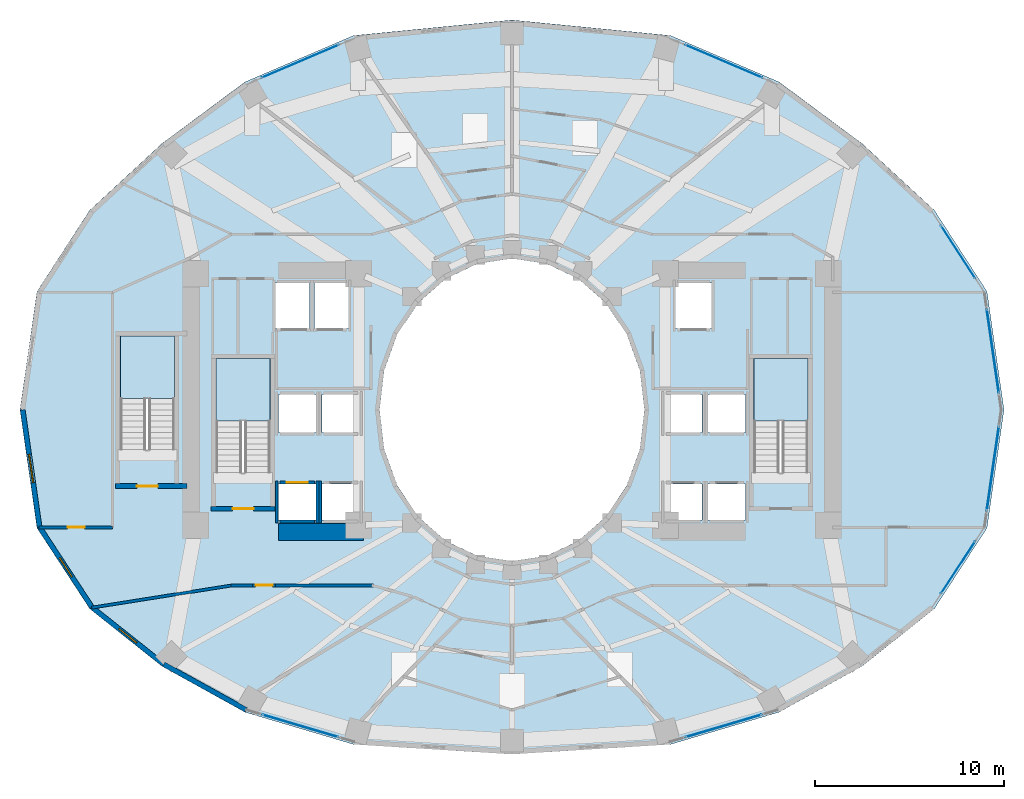
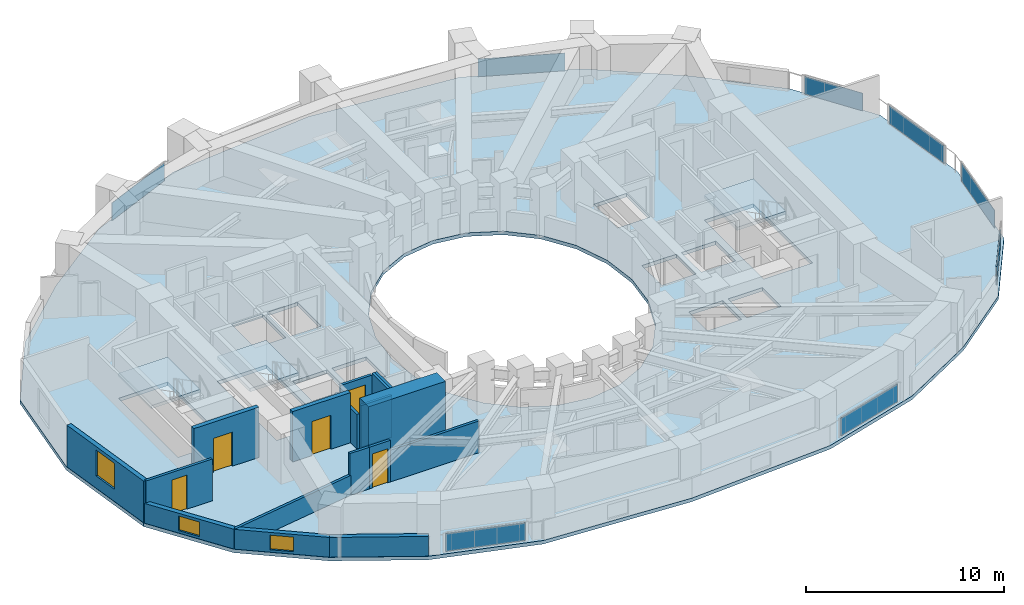
# One storey, part 13 of 22: 17 walls, 8 plates, 5 doors, 4 slabs, 3 windows, 8 openings, 11 elements without a shape of their own.
"""IFC4 building model written with IfcOpenShell, lengths in metres."""

from ifc_helpers import new_model, si_unit, direction, frame, frame_2d, origin, origin_2d, place, context, subcontext, project, spatial, polyline, rectangle, outline, extrude, material, layer, layer_set, type_object, element, fill, aggregate, save


model = new_model("IFC4")

# Units and contexts
model_context = context("Model", 3, precision=1e-05, world=origin(), true_north=direction((0.0, 1.0)))
body_context = subcontext(model_context, "Body", "Model", "MODEL_VIEW")
ifc_project = project(units=[si_unit("LENGTHUNIT", "METRE"), si_unit("AREAUNIT", "SQUARE_METRE"), si_unit("VOLUMEUNIT", "CUBIC_METRE"), si_unit("PLANEANGLEUNIT", "RADIAN"), si_unit("MASSUNIT", "GRAM", prefix="KILO")], contexts=[model_context])

# Site, building, storey
site_placement = place(None, origin())
site = spatial("IfcSite", under=ifc_project, at=site_placement, CompositionType="ELEMENT")
building_placement = place(site_placement, origin())
building = spatial("IfcBuilding", under=site, at=building_placement, Name="Solvane Sanctuary Tower", CompositionType="ELEMENT")
storey_placement = place(building_placement, frame((0.0, 0.0, 43.10009765625)))
storey = spatial("IfcBuildingStorey", under=building, at=storey_placement, Name="L12", CompositionType="ELEMENT", Elevation=43.10009765625)

# Curtain wall, plate
ifc_material_1 = material(Name="Anodised Aluminium 6063-T6", Category="aluminium")
ifc_layer_1 = layer(ifc_material_1, 0.2099609375, Name="Anodised Aluminium 6063-T6")
ifc_layer_set_1 = layer_set([ifc_layer_1], Name="Anodised Aluminium 6063-T6")
curtain_wall_type_1 = type_object("IfcCurtainWallType", Name="Curtain Wall CW-PORTAL", PredefinedType="NOTDEFINED", material=ifc_layer_set_1)
curtain_wall_1_placement = place(storey_placement, origin())
curtain_wall_1 = element("IfcCurtainWall", 1, at=curtain_wall_1_placement, inside=storey, type_object=curtain_wall_type_1, Name="L12 CW-PORTAL Facade Run 00", PredefinedType="NOTDEFINED")
ifc_material_2 = material(Name="Dark Ceramic-Fritted Low-E Glass", Category="glass")
ifc_layer_2 = layer(ifc_material_2, 0.031982421875, Name="Dark Ceramic-Fritted Low-E Glass")
ifc_layer_set_2 = layer_set([ifc_layer_2], Name="Dark Ceramic-Fritted Low-E Glass")
plate_type = type_object("IfcPlateType", Name="Plate PN-FRIT-VIS", PredefinedType="CURTAIN_PANEL", material=ifc_layer_set_2)
plate_1_placement = place(storey_placement, frame((57.413330078125, 26.1025390625, 0.06494140625), z_axis=(0.0, 0.0, 1.0), x_axis=(-0.142503929979, 0.989794236162, 0.0)))
plate_1 = element("IfcPlate", 2, at=plate_1_placement, type_object=plate_type, Name="CW-PORTAL panel 1.1", PredefinedType="CURTAIN_PANEL", context=body_context, shape_type="SweptSolid", body=[
    extrude(rectangle(XDim=4.479248046875, YDim=0.031982421875, at=origin_2d()), origin(), (0.0, 0.0, 1.0), 1.090087890625),
])
aggregate(curtain_wall_1, [plate_1])

curtain_wall_2_placement = place(storey_placement, origin())
curtain_wall_2 = element("IfcCurtainWall", 3, at=curtain_wall_2_placement, inside=storey, type_object=curtain_wall_type_1, Name="L12 CW-PORTAL Facade Run 01", PredefinedType="NOTDEFINED")
plate_2_placement = place(storey_placement, frame((55.580078125, 31.34033203125, 0.06494140625), z_axis=(0.0, 0.0, 1.0), x_axis=(-0.544543243911, 0.838732767639, 0.0)))
plate_2 = element("IfcPlate", 4, at=plate_2_placement, type_object=plate_type, Name="CW-PORTAL panel 1.1", PredefinedType="CURTAIN_PANEL", context=body_context, shape_type="SweptSolid", body=[
    extrude(rectangle(XDim=3.301513671875, YDim=0.031982421875, at=origin_2d()), origin(), (0.0, 0.0, 1.0), 1.090087890625),
])
aggregate(curtain_wall_2, [plate_2])

ifc_layer_3 = layer(ifc_material_1, 0.169921875, Name="Anodised Aluminium 6063-T6")
ifc_layer_set_3 = layer_set([ifc_layer_3], Name="Anodised Aluminium 6063-T6")
curtain_wall_type_2 = type_object("IfcCurtainWallType", Name="Curtain Wall CW-FRIT-Z1", PredefinedType="NOTDEFINED", material=ifc_layer_set_3)
curtain_wall_3_placement = place(storey_placement, origin())
curtain_wall_3 = element("IfcCurtainWall", 5, at=curtain_wall_3_placement, inside=storey, type_object=curtain_wall_type_2, Name="L12 CW-FRIT-Z1 Facade Run 04", PredefinedType="NOTDEFINED")
plate_3_placement = place(storey_placement, frame((43.18701171875, 41.41650390625, 0.06494140625), z_axis=(0.0, 0.0, 1.0), x_axis=(-0.919615259597, 0.392820282466, 0.0)))
plate_3 = element("IfcPlate", 6, at=plate_3_placement, type_object=plate_type, Name="CW-FRIT-Z1 panel 1.1", PredefinedType="CURTAIN_PANEL", context=body_context, shape_type="SweptSolid", body=[
    extrude(rectangle(XDim=4.41943359375, YDim=0.031982421875, at=origin_2d()), origin(), (0.0, 0.0, 1.0), 1.090087890625),
])
aggregate(curtain_wall_3, [plate_3])

curtain_wall_4_placement = place(storey_placement, origin())
curtain_wall_4 = element("IfcCurtainWall", 7, at=curtain_wall_4_placement, inside=storey, type_object=curtain_wall_type_2, Name="L12 CW-FRIT-Z1 Facade Run 07", PredefinedType="NOTDEFINED")
plate_4_placement = place(storey_placement, frame((20.81298828125, 41.41650390625, 0.06494140625), z_axis=(0.0, 0.0, 1.0), x_axis=(-0.919615259597, -0.392820282466, 0.0)))
plate_4 = element("IfcPlate", 8, at=plate_4_placement, type_object=plate_type, Name="CW-FRIT-Z1 panel 1.1", PredefinedType="CURTAIN_PANEL", context=body_context, shape_type="SweptSolid", body=[
    extrude(rectangle(XDim=4.41943359375, YDim=0.031982421875, at=origin_2d()), origin(), (0.0, 0.0, 1.0), 1.090087890625),
])
aggregate(curtain_wall_4, [plate_4])

curtain_wall_5_placement = place(storey_placement, origin())
curtain_wall_5 = element("IfcCurtainWall", 9, at=curtain_wall_5_placement, inside=storey, type_object=curtain_wall_type_2, Name="L12 CW-FRIT-Z1 Facade Run 16", PredefinedType="NOTDEFINED")
plate_5_placement = place(storey_placement, frame((20.81298828125, 6.29248046875, 0.06494140625), z_axis=(0.0, 0.0, 1.0), x_axis=(0.958843218866, -0.283936052018, 0.0)))
plate_5 = element("IfcPlate", 10, at=plate_5_placement, type_object=plate_type, Name="CW-FRIT-Z1 panel 1.1", PredefinedType="CURTAIN_PANEL", context=body_context, shape_type="SweptSolid", body=[
    extrude(rectangle(XDim=4.16552734375, YDim=0.031982421875, at=origin_2d()), origin(), (0.0, 0.0, 1.0), 1.090087890625),
])
aggregate(curtain_wall_5, [plate_5])

curtain_wall_6_placement = place(storey_placement, origin())
curtain_wall_6 = element("IfcCurtainWall", 11, at=curtain_wall_6_placement, inside=storey, type_object=curtain_wall_type_2, Name="L12 CW-FRIT-Z1 Facade Run 19", PredefinedType="NOTDEFINED")
plate_6_placement = place(storey_placement, frame((43.18701171875, 6.29248046875, 0.06494140625), z_axis=(0.0, 0.0, 1.0), x_axis=(0.958843218866, 0.283936052018, 0.0)))
plate_6 = element("IfcPlate", 12, at=plate_6_placement, type_object=plate_type, Name="CW-FRIT-Z1 panel 1.1", PredefinedType="CURTAIN_PANEL", context=body_context, shape_type="SweptSolid", body=[
    extrude(rectangle(XDim=4.16552734375, YDim=0.031982421875, at=origin_2d()), origin(), (0.0, 0.0, 1.0), 1.090087890625),
])
aggregate(curtain_wall_6, [plate_6])

curtain_wall_7_placement = place(storey_placement, origin())
curtain_wall_7 = element("IfcCurtainWall", 13, at=curtain_wall_7_placement, inside=storey, type_object=curtain_wall_type_1, Name="L12 CW-PORTAL Facade Run 22", PredefinedType="NOTDEFINED")
plate_7_placement = place(storey_placement, frame((55.580078125, 14.6767578125, 0.06494140625), z_axis=(0.0, 0.0, 1.0), x_axis=(0.547701943571, 0.836673521159, 0.0)))
plate_7 = element("IfcPlate", 14, at=plate_7_placement, type_object=plate_type, Name="CW-PORTAL panel 1.1", PredefinedType="CURTAIN_PANEL", context=body_context, shape_type="SweptSolid", body=[
    extrude(rectangle(XDim=3.2724609375, YDim=0.031982421875, at=origin_2d()), origin(), (0.0, 0.0, 1.0), 1.090087890625),
])
aggregate(curtain_wall_7, [plate_7])

curtain_wall_8_placement = place(storey_placement, origin())
curtain_wall_8 = element("IfcCurtainWall", 15, at=curtain_wall_8_placement, inside=storey, type_object=curtain_wall_type_1, Name="L12 CW-PORTAL Facade Run 23", PredefinedType="NOTDEFINED")
plate_8_placement = place(storey_placement, frame((57.413330078125, 19.8974609375, 0.06494140625), z_axis=(0.0, 0.0, 1.0), x_axis=(0.142503929979, 0.989794236162, 0.0)))
plate_8 = element("IfcPlate", 16, at=plate_8_placement, type_object=plate_type, Name="CW-PORTAL panel 1.1", PredefinedType="CURTAIN_PANEL", context=body_context, shape_type="SweptSolid", body=[
    extrude(rectangle(XDim=4.479248046875, YDim=0.031982421875, at=origin_2d()), origin(), (0.0, 0.0, 1.0), 1.090087890625),
])
aggregate(curtain_wall_8, [plate_8])

# Stair, slab
ifc_material_3 = material(Name="Concrete C45/55", Category="concrete")
stair_type = type_object("IfcStairType", Name="Stair ST-TOW", PredefinedType="HALF_TURN_STAIR", material=ifc_material_3)
stair_1_placement = place(storey_placement, origin())
stair_1 = element("IfcStair", 17, at=stair_1_placement, inside=storey, type_object=stair_type, Name="L12 Exit Stair ST-1 West Core", PredefinedType="HALF_TURN_STAIR")
ifc_layer_4 = layer(ifc_material_3, 0.199951171875, Name="Concrete C45/55")
ifc_layer_set_4 = layer_set([ifc_layer_4], Name="Concrete C45/55")
slab_type_1 = type_object("IfcSlabType", Name="Slab SL-LAND-180", PredefinedType="LANDING", material=ifc_layer_set_4)
slab_1_placement = place(storey_placement, frame((0.0, 0.0, 1.349853515625)))
slab_1 = element("IfcSlab", 18, at=slab_1_placement, type_object=slab_type_1, Name="ST-1 landing 1", PredefinedType="LANDING", context=body_context, shape_type="SweptSolid", body=[
    extrude(outline(polyline([(19.219970703125, 22.39990234375), (19.219970703125, 25.699951171875), (16.360107421875, 25.699951171875), (16.360107421875, 22.39990234375), (19.219970703125, 22.39990234375)])), origin(), (0.0, 0.0, 1.0), 0.199951171875),
])
aggregate(stair_1, [slab_1])

stair_2_placement = place(storey_placement, origin())
stair_2 = element("IfcStair", 19, at=stair_2_placement, inside=storey, type_object=stair_type, Name="L12 Exit Stair ST-2 East Core", PredefinedType="HALF_TURN_STAIR")
slab_2_placement = place(storey_placement, frame((0.0, 0.0, 1.349853515625)))
slab_2 = element("IfcSlab", 20, at=slab_2_placement, type_object=slab_type_1, Name="ST-2 landing 1", PredefinedType="LANDING", context=body_context, shape_type="SweptSolid", body=[
    extrude(outline(polyline([(47.639892578125, 22.39990234375), (47.639892578125, 25.699951171875), (44.780029296875, 25.699951171875), (44.780029296875, 22.39990234375), (47.639892578125, 22.39990234375)])), origin(), (0.0, 0.0, 1.0), 0.199951171875),
])
aggregate(stair_2, [slab_2])

stair_3_placement = place(storey_placement, origin())
stair_3 = element("IfcStair", 21, at=stair_3_placement, inside=storey, type_object=stair_type, Name="L12 Exit Stair ST-3 Pilgrim Tower Stair", PredefinedType="HALF_TURN_STAIR")
slab_3_placement = place(storey_placement, frame((0.0, 0.0, 1.349853515625)))
slab_3 = element("IfcSlab", 22, at=slab_3_placement, type_object=slab_type_1, Name="ST-3 landing 1", PredefinedType="LANDING", context=body_context, shape_type="SweptSolid", body=[
    extrude(outline(polyline([(14.159912109375, 23.60009765625), (14.159912109375, 26.89990234375), (11.300048828125, 26.89990234375), (11.300048828125, 23.60009765625), (14.159912109375, 23.60009765625)])), origin(), (0.0, 0.0, 1.0), 0.199951171875),
])
aggregate(stair_3, [slab_3])

# Slab
ifc_layer_5 = layer(ifc_material_3, 0.219970703125, Name="Concrete C45/55")
ifc_layer_set_5 = layer_set([ifc_layer_5], Name="Concrete C45/55")
slab_type_2 = type_object("IfcSlabType", Name="Slab SL-TOW-220", PredefinedType="FLOOR", material=ifc_layer_set_5)
slab_4_placement = place(storey_placement, frame((0.0, 0.0, -0.22021484375)))
element("IfcSlab", 23, at=slab_4_placement, inside=storey, type_object=slab_type_2, Name="L12 Primary Structural Slab", PredefinedType="FLOOR", context=body_context, shape_type="SweptSolid", body=[
    extrude(outline(polyline([(58.0, 23.0), (57.101806640625, 29.25048828125), (54.31396484375, 33.5517578125), (50.504150390625, 37.066162109375), (46.1181640625, 40.322021484375), (40.376708984375, 42.77880859375), (32.0, 43.60009765625), (23.623291015625, 42.77880859375), (17.8818359375, 40.322021484375), (13.495849609375, 37.066162109375), (9.68603515625, 33.5517578125), (6.898193359375, 29.25048828125), (6.0, 23.0), (6.898193359375, 16.74951171875), (9.68603515625, 12.483154296875), (13.495849609375, 9.452392578125), (17.8818359375, 7.022705078125), (23.623291015625, 5.3193359375), (32.0, 4.800048828125), (40.376708984375, 5.3193359375), (46.1181640625, 7.022705078125), (50.504150390625, 9.452392578125), (54.31396484375, 12.483154296875), (57.101806640625, 16.74951171875), (58.0, 23.0)]), holes=[polyline([(38.761474609375, 20.929443359375), (38.062255859375, 19.0), (36.94970703125, 17.343017578125), (35.5, 16.07177734375), (33.811767578125, 15.272705078125), (32.0, 15.0), (30.188232421875, 15.272705078125), (28.5, 16.07177734375), (27.05029296875, 17.343017578125), (25.937744140625, 19.0), (25.238525390625, 20.929443359375), (25.0, 23.0), (25.238525390625, 25.070556640625), (25.937744140625, 27.0), (27.05029296875, 28.656982421875), (28.5, 29.92822265625), (30.188232421875, 30.727294921875), (32.0, 31.0), (33.811767578125, 30.727294921875), (35.5, 29.92822265625), (36.94970703125, 28.656982421875), (38.062255859375, 27.0), (38.761474609375, 25.070556640625), (39.0, 23.0), (38.761474609375, 20.929443359375)]), polyline([(16.360107421875, 19.699951171875), (16.360107421875, 25.699951171875), (19.219970703125, 25.699951171875), (19.219970703125, 19.699951171875), (16.360107421875, 19.699951171875)]), polyline([(44.780029296875, 19.699951171875), (44.780029296875, 25.699951171875), (47.639892578125, 25.699951171875), (47.639892578125, 19.699951171875), (44.780029296875, 19.699951171875)]), polyline([(11.300048828125, 20.89990234375), (11.300048828125, 26.89990234375), (14.159912109375, 26.89990234375), (14.159912109375, 20.89990234375), (11.300048828125, 20.89990234375)]), polyline([(19.64990234375, 19.080078125), (21.64990234375, 19.080078125), (21.64990234375, 17.179931640625), (19.64990234375, 17.179931640625), (19.64990234375, 19.080078125)]), polyline([(21.949951171875, 19.080078125), (23.949951171875, 19.080078125), (23.949951171875, 17.179931640625), (21.949951171875, 17.179931640625), (21.949951171875, 19.080078125)]), polyline([(40.050048828125, 19.080078125), (42.050048828125, 19.080078125), (42.050048828125, 17.179931640625), (40.050048828125, 17.179931640625), (40.050048828125, 19.080078125)]), polyline([(42.35009765625, 19.080078125), (44.35009765625, 19.080078125), (44.35009765625, 17.179931640625), (42.35009765625, 17.179931640625), (42.35009765625, 19.080078125)]), polyline([(19.64990234375, 23.800048828125), (21.64990234375, 23.800048828125), (21.64990234375, 21.800048828125), (19.64990234375, 21.800048828125), (19.64990234375, 23.800048828125)]), polyline([(42.35009765625, 23.800048828125), (44.35009765625, 23.800048828125), (44.35009765625, 21.800048828125), (42.35009765625, 21.800048828125), (42.35009765625, 23.800048828125)]), polyline([(21.949951171875, 23.800048828125), (23.949951171875, 23.800048828125), (23.949951171875, 21.800048828125), (21.949951171875, 21.800048828125), (21.949951171875, 23.800048828125)]), polyline([(40.050048828125, 23.800048828125), (42.050048828125, 23.800048828125), (42.050048828125, 21.800048828125), (40.050048828125, 21.800048828125), (40.050048828125, 23.800048828125)]), polyline([(19.5, 29.699951171875), (21.300048828125, 29.699951171875), (21.300048828125, 27.300048828125), (19.5, 27.300048828125), (19.5, 29.699951171875)]), polyline([(21.550048828125, 29.699951171875), (23.35009765625, 29.699951171875), (23.35009765625, 27.300048828125), (21.550048828125, 27.300048828125), (21.550048828125, 29.699951171875)]), polyline([(40.64990234375, 29.699951171875), (42.550048828125, 29.699951171875), (42.550048828125, 27.300048828125), (40.64990234375, 27.300048828125), (40.64990234375, 29.699951171875)])]), origin(), (0.0, 0.0, 1.0), 0.22021484375),
])

# Wall
ifc_material_4 = material(Name="Concrete C70/85", Category="concrete")
ifc_layer_6 = layer(ifc_material_4, 0.89990234375, Name="Concrete C70/85")
ifc_layer_set_6 = layer_set([ifc_layer_6], Name="Concrete C70/85")
wall_type_1 = type_object("IfcWallType", Name="Wall W-CORE-900", PredefinedType="SHEAR", material=ifc_layer_set_6)
wall_1_placement = place(storey_placement, frame((19.64990234375, 16.550048828125, 0.0), z_axis=(0.0, 0.0, 1.0), x_axis=(1.0, 0.0, 0.0)))
element("IfcWall", 24, at=wall_1_placement, inside=storey, type_object=wall_type_1, Name="L12 Core Shear Wall WC-S", PredefinedType="SHEAR", context=body_context, shape_type="SweptSolid", body=[
    extrude(rectangle(XDim=4.5, YDim=0.89990234375, at=frame_2d((2.25, 0.0))), origin(), (0.0, 0.0, 1.0), 3.099853515625),
])

# Wall, opening, door
ifc_material_5 = material(Name="Acoustic Gypsum Partition Board")
ifc_layer_7 = layer(ifc_material_5, 0.14990234375, Name="Acoustic Gypsum Partition Board")
ifc_layer_set_7 = layer_set([ifc_layer_7], Name="Acoustic Gypsum Partition Board")
wall_type_2 = type_object("IfcWallType", Name="Wall W-CORR-150", PredefinedType="PARTITIONING", material=ifc_layer_set_7)
wall_2_placement = place(storey_placement, frame((7.013671875, 16.788330078125, 0.0), z_axis=(0.0, 0.0, 1.0), x_axis=(1.0, 0.0, 0.0)))
wall_2 = element("IfcWall", 25, at=wall_2_placement, inside=storey, type_object=wall_type_2, Name="L12 West Shoulder South Wall", PredefinedType="PARTITIONING", context=body_context, shape_type="SweptSolid", body=[
    extrude(rectangle(XDim=3.8662109375, YDim=0.14990234375, at=frame_2d((1.93310546875, 0.0))), origin(), (0.0, 0.0, 1.0), 2.574951171875),
])
opening_1_placement = place(wall_2_placement, frame((1.503173828125, 0.0, 0.0)))
opening_1 = element("IfcOpeningElement", 26, at=opening_1_placement, cuts=wall_2, Name="Opening D-L12-11", PredefinedType="OPENING", context=body_context, shape_type="SweptSolid", body=[
    extrude(rectangle(XDim=0.89990234375, YDim=2.10009765625, at=frame_2d((0.449951171875, 1.050048828125))), frame((0.0, 0.0849609375, 0.0), z_axis=(0.0, -1.0, 0.0), x_axis=(1.0, 0.0, 0.0)), (0.0, 0.0, 1.0), 0.169921875),
])
ifc_material_6 = material(Name="Engineered Tropical Hardwood", Category="wood")
door_type_1 = type_object("IfcDoorType", Name="Door D-WET-900", OperationType="NOTDEFINED", PredefinedType="DOOR", material=ifc_material_6)
door_1_placement = place(opening_1_placement, origin())
door_1 = element("IfcDoor", 27, at=door_1_placement, inside=storey, type_object=door_type_1, Name="L12 West Shoulder South Door", OperationType="SINGLE_SWING_LEFT", OverallHeight=2.10009765625, OverallWidth=0.89990234375, PredefinedType="DOOR", context=body_context, shape_type="SweptSolid", body=[
    extrude(rectangle(XDim=0.89990234375, YDim=2.10009765625, at=frame_2d((0.449951171875, 1.050048828125))), frame((0.0, 0.02490234375, 0.0), z_axis=(0.0, -1.0, 0.0), x_axis=(1.0, 0.0, 0.0)), (0.0, 0.0, 1.0), 0.050048828125),
])
fill(opening_1, door_1)

# Wall
wall_3_placement = place(storey_placement, frame((17.14990234375, 13.719970703125, 0.0), z_axis=(0.0, 0.0, 1.0), x_axis=(1.0, 0.0, 0.0)))
element("IfcWall", 28, at=wall_3_placement, inside=storey, type_object=wall_type_2, Name="L12 SW Corner Corridor Wall", PredefinedType="PARTITIONING", context=body_context, shape_type="SweptSolid", body=[
    extrude(rectangle(XDim=1.14013671875, YDim=0.14990234375, at=frame_2d((0.570068359375, 0.0))), origin(), (0.0, 0.0, 1.0), 2.574951171875),
])

# Wall, opening, door
wall_4_placement = place(storey_placement, frame((18.2900390625, 13.719970703125, 0.0), z_axis=(0.0, 0.0, 1.0), x_axis=(1.0, 0.0, 0.0)))
wall_4 = element("IfcWall", 29, at=wall_4_placement, inside=storey, type_object=wall_type_2, Name="L12 SW Corner Corridor Wall", PredefinedType="PARTITIONING", context=body_context, shape_type="SweptSolid", body=[
    extrude(rectangle(XDim=1.219970703125, YDim=0.14990234375, at=frame_2d((0.60986328125, 0.0))), origin(), (0.0, 0.0, 1.0), 2.574951171875),
])
opening_2_placement = place(wall_4_placement, frame((0.159912109375, 0.0, 0.0)))
opening_2 = element("IfcOpeningElement", 30, at=opening_2_placement, cuts=wall_4, Name="Opening D-L12-15", PredefinedType="OPENING", context=body_context, shape_type="SweptSolid", body=[
    extrude(rectangle(XDim=0.89990234375, YDim=2.10009765625, at=frame_2d((0.449951171875, 1.050048828125))), frame((0.0, 0.0849609375, 0.0), z_axis=(0.0, -1.0, 0.0), x_axis=(1.0, 0.0, 0.0)), (0.0, 0.0, 1.0), 0.169921875),
])
door_2_placement = place(opening_2_placement, origin())
door_2 = element("IfcDoor", 31, at=door_2_placement, inside=storey, type_object=door_type_1, Name="L12 SW Corner Salon Door", OperationType="SINGLE_SWING_LEFT", OverallHeight=2.10009765625, OverallWidth=0.89990234375, PredefinedType="DOOR", context=body_context, shape_type="SweptSolid", body=[
    extrude(rectangle(XDim=0.89990234375, YDim=2.10009765625, at=frame_2d((0.449951171875, 1.050048828125))), frame((0.0, 0.02490234375, 0.0), z_axis=(0.0, -1.0, 0.0), x_axis=(1.0, 0.0, 0.0)), (0.0, 0.0, 1.0), 0.050048828125),
])
fill(opening_2, door_2)

# Walls
wall_5_placement = place(storey_placement, frame((19.510009765625, 13.719970703125, 0.0), z_axis=(0.0, 0.0, 1.0), x_axis=(1.0, 0.0, 0.0)))
element("IfcWall", 32, at=wall_5_placement, inside=storey, type_object=wall_type_2, Name="L12 SW Corner Corridor Wall", PredefinedType="PARTITIONING", context=body_context, shape_type="SweptSolid", body=[
    extrude(rectangle(XDim=5.159912109375, YDim=0.14990234375, at=frame_2d((2.580078125, 0.0))), origin(), (0.0, 0.0, 1.0), 1.956787109375),
])
wall_6_placement = place(storey_placement, frame((17.24951171875, 13.727783203125, 0.0), z_axis=(0.0, 0.0, 1.0), x_axis=(-0.987655781226, -0.156639898525, 0.0)))
element("IfcWall", 33, at=wall_6_placement, inside=storey, type_object=wall_type_2, Name="L12 SW Corner Wing Wall", PredefinedType="PARTITIONING", context=body_context, shape_type="SweptSolid", body=[
    extrude(rectangle(XDim=7.551513671875, YDim=0.14990234375, at=frame_2d((3.77587890625, 0.0))), origin(), (0.0, 0.0, 1.0), 1.219970703125),
])

# Wall, opening, window
ifc_material_7 = material(Name="Precast concrete C40/50", Category="concrete")
ifc_layer_8 = layer(ifc_material_7, 0.260009765625, Name="Precast concrete C40/50")
ifc_layer_set_8 = layer_set([ifc_layer_8], Name="Precast concrete C40/50")
wall_type_3 = type_object("IfcWallType", Name="Wall W-EXT-250", PredefinedType="STANDARD", material=ifc_layer_set_8)
wall_7_placement = place(storey_placement, frame((6.139892578125, 23.0, 0.0), z_axis=(0.0, 0.0, 1.0), x_axis=(0.142528001686, -0.989790770181, 0.0)))
wall_7 = element("IfcWall", 34, at=wall_7_placement, inside=storey, type_object=wall_type_3, Name="L12 Ceramic-Printed Facade Wall 12", PredefinedType="STANDARD", context=body_context, shape_type="SweptSolid", body=[
    extrude(rectangle(XDim=6.269287109375, YDim=0.260009765625, at=frame_2d((3.134765625, 0.0))), origin(), (0.0, 0.0, 1.0), 2.56982421875),
])
opening_3_placement = place(wall_7_placement, frame((2.384521484375, 0.0, 0.75)))
opening_3 = element("IfcOpeningElement", 35, at=opening_3_placement, cuts=wall_7, Name="Opening WN-OPER-1500", PredefinedType="OPENING", context=body_context, shape_type="SweptSolid", body=[
    extrude(rectangle(XDim=1.5, YDim=1.60009765625, at=frame_2d((0.75, 0.800048828125))), frame((0.0, 0.139892578125, 0.0), z_axis=(0.0, -1.0, 0.0), x_axis=(1.0, 0.0, 0.0)), (0.0, 0.0, 1.0), 0.280029296875),
])
window_type_1 = type_object("IfcWindowType", Name="Window WN-OPER-1500", PartitioningType="SINGLE_PANEL", PredefinedType="WINDOW", material=ifc_material_2)
window_1_placement = place(opening_3_placement, origin())
window_1 = element("IfcWindow", 36, at=window_1_placement, inside=storey, type_object=window_type_1, Name="L12 Operable Facade Window 12", OverallHeight=1.60009765625, OverallWidth=1.5, PartitioningType="SINGLE_PANEL", PredefinedType="WINDOW", context=body_context, shape_type="SweptSolid", body=[
    extrude(rectangle(XDim=1.5, YDim=1.60009765625, at=frame_2d((0.75, 0.800048828125))), frame((0.0, 0.030029296875, 0.0), z_axis=(0.0, -1.0, 0.0), x_axis=(1.0, 0.0, 0.0)), (0.0, 0.0, 1.0), 0.06005859375),
])
fill(opening_3, window_1)

wall_8_placement = place(storey_placement, frame((7.033447265625, 16.794677734375, 0.0), z_axis=(0.0, 0.0, 1.0), x_axis=(0.547702757047, -0.836672988642, 0.0)))
wall_8 = element("IfcWall", 37, at=wall_8_placement, inside=storey, type_object=wall_type_3, Name="L12 Ceramic-Printed Facade Wall 13", PredefinedType="STANDARD", context=body_context, shape_type="SweptSolid", body=[
    extrude(rectangle(XDim=5.0625, YDim=0.260009765625, at=frame_2d((2.53125, 0.0))), origin(), (0.0, 0.0, 1.0), 1.219970703125),
])
opening_4_placement = place(wall_8_placement, frame((1.931396484375, 0.0, 0.14990234375)))
opening_4 = element("IfcOpeningElement", 38, at=opening_4_placement, cuts=wall_8, Name="Opening WN-OPER-1200", PredefinedType="OPENING", context=body_context, shape_type="SweptSolid", body=[
    extrude(rectangle(XDim=1.199951171875, YDim=0.89990234375, at=frame_2d((0.60009765625, 0.449951171875))), frame((0.0, 0.139892578125, 0.0), z_axis=(0.0, -1.0, 0.0), x_axis=(1.0, 0.0, 0.0)), (0.0, 0.0, 1.0), 0.280029296875),
])
window_type_2 = type_object("IfcWindowType", Name="Window WN-OPER-1200", PartitioningType="SINGLE_PANEL", PredefinedType="WINDOW", material=ifc_material_2)
window_2_placement = place(opening_4_placement, origin())
window_2 = element("IfcWindow", 39, at=window_2_placement, inside=storey, type_object=window_type_2, Name="L12 Operable Facade Window 13", OverallHeight=0.89990234375, OverallWidth=1.199951171875, PartitioningType="SINGLE_PANEL", PredefinedType="WINDOW", context=body_context, shape_type="SweptSolid", body=[
    extrude(rectangle(XDim=1.199951171875, YDim=0.89990234375, at=frame_2d((0.60009765625, 0.449951171875))), frame((0.0, 0.030029296875, 0.0), z_axis=(0.0, -1.0, 0.0), x_axis=(1.0, 0.0, 0.0)), (0.0, 0.0, 1.0), 0.06005859375),
])
fill(opening_4, window_2)

wall_9_placement = place(storey_placement, frame((9.80615234375, 12.55908203125, 0.0), z_axis=(0.0, 0.0, 1.0), x_axis=(0.783123133379, -0.621866672179, 0.0)))
wall_9 = element("IfcWall", 40, at=wall_9_placement, inside=storey, type_object=wall_type_3, Name="L12 Ceramic-Printed Facade Wall 14", PredefinedType="STANDARD", context=body_context, shape_type="SweptSolid", body=[
    extrude(rectangle(XDim=4.838623046875, YDim=0.260009765625, at=frame_2d((2.41943359375, 0.0))), origin(), (0.0, 0.0, 1.0), 1.219970703125),
])
opening_5_placement = place(wall_9_placement, frame((1.8193359375, 0.0, 0.14990234375)))
opening_5 = element("IfcOpeningElement", 41, at=opening_5_placement, cuts=wall_9, Name="Opening WN-OPER-1200", PredefinedType="OPENING", context=body_context, shape_type="SweptSolid", body=[
    extrude(rectangle(XDim=1.199951171875, YDim=0.89990234375, at=frame_2d((0.60009765625, 0.449951171875))), frame((0.0, 0.139892578125, 0.0), z_axis=(0.0, -1.0, 0.0), x_axis=(1.0, 0.0, 0.0)), (0.0, 0.0, 1.0), 0.280029296875),
])
window_3_placement = place(opening_5_placement, origin())
window_3 = element("IfcWindow", 42, at=window_3_placement, inside=storey, type_object=window_type_2, Name="L12 Operable Facade Window 14", OverallHeight=0.89990234375, OverallWidth=1.199951171875, PartitioningType="SINGLE_PANEL", PredefinedType="WINDOW", context=body_context, shape_type="SweptSolid", body=[
    extrude(rectangle(XDim=1.199951171875, YDim=0.89990234375, at=frame_2d((0.60009765625, 0.449951171875))), frame((0.0, 0.030029296875, 0.0), z_axis=(0.0, -1.0, 0.0), x_axis=(1.0, 0.0, 0.0)), (0.0, 0.0, 1.0), 0.06005859375),
])
fill(opening_5, window_3)

# Wall
wall_10_placement = place(storey_placement, frame((13.595458984375, 9.550048828125, 0.0), z_axis=(0.0, 0.0, 1.0), x_axis=(0.875137303239, -0.483874674352, 0.0)))
element("IfcWall", 43, at=wall_10_placement, inside=storey, type_object=wall_type_3, Name="L12 Ceramic-Printed Facade Wall 15", PredefinedType="STANDARD", context=body_context, shape_type="SweptSolid", body=[
    extrude(rectangle(XDim=4.985107421875, YDim=0.260009765625, at=frame_2d((2.49267578125, 0.0))), origin(), (0.0, 0.0, 1.0), 1.219970703125),
])

# Wall, opening, door
ifc_material_8 = material(Name="Concrete C50/60", Category="concrete")
ifc_layer_9 = layer(ifc_material_8, 0.14990234375, Name="Concrete C50/60")
ifc_layer_set_9 = layer_set([ifc_layer_9], Name="Concrete C50/60")
wall_type_4 = type_object("IfcWallType", Name="Wall W-SHAFT-150", PredefinedType="SOLIDWALL", material=ifc_layer_set_9)
wall_11_placement = place(storey_placement, frame((19.739990234375, 19.159912109375, 0.0), z_axis=(0.0, 0.0, 1.0), x_axis=(1.0, 0.0, 0.0)))
wall_11 = element("IfcWall", 44, at=wall_11_placement, inside=storey, type_object=wall_type_4, Name="L12 PL-1 Lift Shaft Wall F", PredefinedType="SOLIDWALL", context=body_context, shape_type="SweptSolid", body=[
    extrude(rectangle(XDim=1.820068359375, YDim=0.14990234375, at=frame_2d((0.91015625, 0.0))), origin(), (0.0, 0.0, 1.0), 2.574951171875),
])
opening_6_placement = place(wall_11_placement, frame((0.360107421875, 0.0, 0.0)))
opening_6 = element("IfcOpeningElement", 45, at=opening_6_placement, cuts=wall_11, Name="Opening LD-L12-01", PredefinedType="OPENING", context=body_context, shape_type="SweptSolid", body=[
    extrude(rectangle(XDim=1.10009765625, YDim=2.10009765625, at=frame_2d((0.550048828125, 1.050048828125))), frame((0.0, 0.0849609375, 0.0), z_axis=(0.0, -1.0, 0.0), x_axis=(1.0, 0.0, 0.0)), (0.0, 0.0, 1.0), 0.169921875),
])
ifc_material_9 = material(Name="Architectural Stainless Steel 316", Category="steel")
door_type_2 = type_object("IfcDoorType", Name="Door LD-PASS-1100", OperationType="NOTDEFINED", PredefinedType="DOOR", material=ifc_material_9)
door_3_placement = place(opening_6_placement, origin())
door_3 = element("IfcDoor", 46, at=door_3_placement, inside=storey, type_object=door_type_2, Name="L12 PL-1 Lift Landing Door", OperationType="DOUBLE_DOOR_SLIDING", OverallHeight=2.10009765625, OverallWidth=1.10009765625, PredefinedType="DOOR", context=body_context, shape_type="SweptSolid", body=[
    extrude(rectangle(XDim=1.10009765625, YDim=2.10009765625, at=frame_2d((0.550048828125, 1.050048828125))), frame((0.0, 0.02490234375, 0.0), z_axis=(0.0, -1.0, 0.0), x_axis=(1.0, 0.0, 0.0)), (0.0, 0.0, 1.0), 0.050048828125),
])
fill(opening_6, door_3)

# Walls
wall_12_placement = place(storey_placement, frame((19.739990234375, 17.10009765625, 0.0), z_axis=(0.0, 0.0, 1.0), x_axis=(1.0, 0.0, 0.0)))
element("IfcWall", 47, at=wall_12_placement, inside=storey, type_object=wall_type_4, Name="L12 PL-1 Lift Shaft Wall B", PredefinedType="SOLIDWALL", context=body_context, shape_type="SweptSolid", body=[
    extrude(rectangle(XDim=1.820068359375, YDim=0.14990234375, at=frame_2d((0.91015625, 0.0))), origin(), (0.0, 0.0, 1.0), 2.574951171875),
])
wall_13_placement = place(storey_placement, frame((19.570068359375, 17.02001953125, 0.0), z_axis=(0.0, 0.0, 1.0), x_axis=(0.0, 1.0, 0.0)))
element("IfcWall", 48, at=wall_13_placement, inside=storey, type_object=wall_type_4, Name="L12 PL-1 Lift Shaft Wall S1", PredefinedType="SOLIDWALL", context=body_context, shape_type="SweptSolid", body=[
    extrude(rectangle(XDim=2.219970703125, YDim=0.14990234375, at=frame_2d((1.10986328125, 0.0))), origin(), (0.0, 0.0, 1.0), 2.119873046875),
])
for number, where, z_axis, x_axis, name in (
    (49, (21.72998046875, 17.02001953125, 0.0), (0.0, 0.0, 1.0), (0.0, 1.0, 0.0), "L12 PL-1 Lift Shaft Wall S2"),
    (50, (21.8701171875, 17.02001953125, 0.0), (0.0, 0.0, 1.0), (0.0, 1.0, 0.0), "L12 PL-2 Lift Shaft Wall S1"),
):
    element("IfcWall", number, at=place(storey_placement, frame(where, z_axis=z_axis, x_axis=x_axis)), inside=storey, type_object=wall_type_4, Name=name, PredefinedType="SOLIDWALL", context=body_context, shape_type="SweptSolid", body=[
        extrude(rectangle(XDim=2.219970703125, YDim=0.14990234375, at=frame_2d((1.10986328125, 0.0))), origin(), (0.0, 0.0, 1.0), 2.574951171875),
    ])

# Wall, opening, door
ifc_layer_10 = layer(ifc_material_8, 0.25, Name="Concrete C50/60")
ifc_layer_set_10 = layer_set([ifc_layer_10], Name="Concrete C50/60")
wall_type_5 = type_object("IfcWallType", Name="Wall W-SHAFT-250", PredefinedType="SOLIDWALL", material=ifc_layer_set_10)
wall_14_placement = place(storey_placement, frame((16.10498046875, 17.77001953125, 0.0), z_axis=(0.0, 0.0, 1.0), x_axis=(1.0, 0.0, 0.0)))
wall_14 = element("IfcWall", 51, at=wall_14_placement, inside=storey, type_object=wall_type_5, Name="L12 ST-1 Load-Bearing Shaft Wall S", PredefinedType="SOLIDWALL", context=body_context, shape_type="SweptSolid", body=[
    extrude(rectangle(XDim=3.3701171875, YDim=0.25, at=frame_2d((1.68505859375, 0.0))), origin(), (0.0, 0.0, 1.0), 3.099853515625),
])
opening_7_placement = place(wall_14_placement, frame((1.135009765625, 0.0, 0.0)))
opening_7 = element("IfcOpeningElement", 52, at=opening_7_placement, cuts=wall_14, Name="Opening D-L12-01", PredefinedType="OPENING", context=body_context, shape_type="SweptSolid", body=[
    extrude(rectangle(XDim=1.10009765625, YDim=2.10009765625, at=frame_2d((0.550048828125, 1.050048828125))), frame((0.0, 0.135009765625, 0.0), z_axis=(0.0, -1.0, 0.0), x_axis=(1.0, 0.0, 0.0)), (0.0, 0.0, 1.0), 0.27001953125),
])
door_type_3 = type_object("IfcDoorType", Name="Door D-STAIR", OperationType="NOTDEFINED", PredefinedType="DOOR", material=ifc_material_9)
door_4_placement = place(opening_7_placement, origin())
door_4 = element("IfcDoor", 53, at=door_4_placement, inside=storey, type_object=door_type_3, Name="L12 ST-1 Exit Stair Fire Door", OperationType="SINGLE_SWING_RIGHT", OverallHeight=2.10009765625, OverallWidth=1.10009765625, PredefinedType="DOOR", context=body_context, shape_type="SweptSolid", body=[
    extrude(rectangle(XDim=1.10009765625, YDim=2.10009765625, at=frame_2d((0.550048828125, 1.050048828125))), frame((0.0, 0.02490234375, 0.0), z_axis=(0.0, -1.0, 0.0), x_axis=(1.0, 0.0, 0.0)), (0.0, 0.0, 1.0), 0.050048828125),
])
fill(opening_7, door_4)

wall_15_placement = place(storey_placement, frame((11.044921875, 18.969970703125, 0.0), z_axis=(0.0, 0.0, 1.0), x_axis=(1.0, 0.0, 0.0)))
wall_15 = element("IfcWall", 54, at=wall_15_placement, inside=storey, type_object=wall_type_5, Name="L12 ST-3 Load-Bearing Shaft Wall S", PredefinedType="SOLIDWALL", context=body_context, shape_type="SweptSolid", body=[
    extrude(rectangle(XDim=3.781982421875, YDim=0.25, at=frame_2d((1.89111328125, 0.0))), origin(), (0.0, 0.0, 1.0), 3.099853515625),
])
opening_8_placement = place(wall_15_placement, frame((1.135009765625, 0.0, 0.0)))
opening_8 = element("IfcOpeningElement", 55, at=opening_8_placement, cuts=wall_15, Name="Opening D-L12-03", PredefinedType="OPENING", context=body_context, shape_type="SweptSolid", body=[
    extrude(rectangle(XDim=1.10009765625, YDim=2.10009765625, at=frame_2d((0.550048828125, 1.050048828125))), frame((0.0, 0.135009765625, 0.0), z_axis=(0.0, -1.0, 0.0), x_axis=(1.0, 0.0, 0.0)), (0.0, 0.0, 1.0), 0.27001953125),
])
door_5_placement = place(opening_8_placement, origin())
door_5 = element("IfcDoor", 56, at=door_5_placement, inside=storey, type_object=door_type_3, Name="L12 ST-3 Exit Stair Fire Door", OperationType="SINGLE_SWING_RIGHT", OverallHeight=2.10009765625, OverallWidth=1.10009765625, PredefinedType="DOOR", context=body_context, shape_type="SweptSolid", body=[
    extrude(rectangle(XDim=1.10009765625, YDim=2.10009765625, at=frame_2d((0.550048828125, 1.050048828125))), frame((0.0, 0.02490234375, 0.0), z_axis=(0.0, -1.0, 0.0), x_axis=(1.0, 0.0, 0.0)), (0.0, 0.0, 1.0), 0.050048828125),
])
fill(opening_8, door_5)

save(model, "model.ifc")
